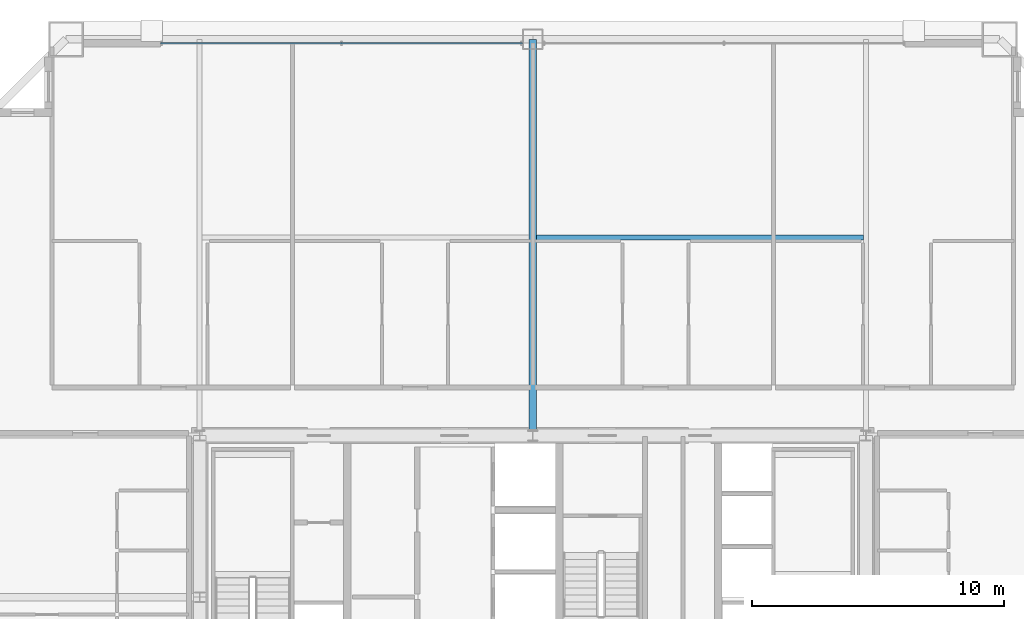
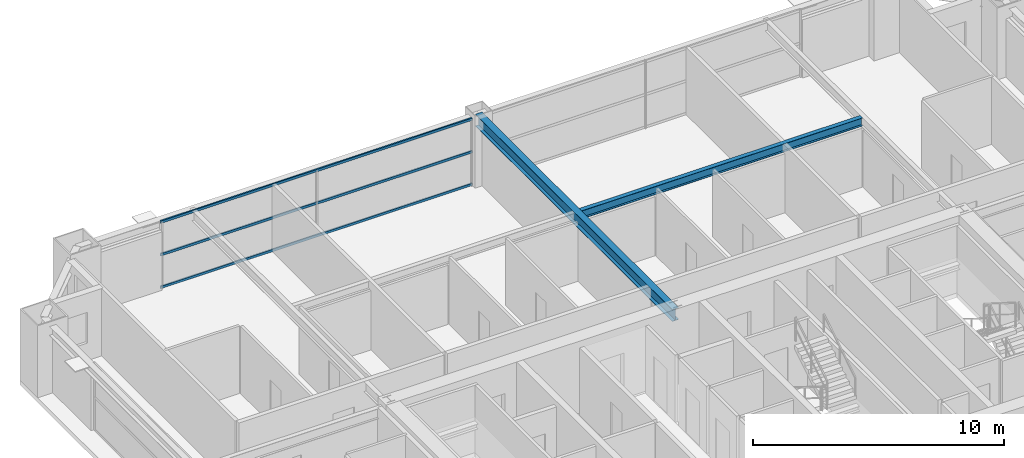
# One storey, part 28 of 38: 3 members, 2 beams, 1 element without a shape of its own.
"""IFC4 building model written with IfcOpenShell, lengths in metres."""

from ifc_helpers import new_model, si_unit, direction, frame, origin, origin_2d, place, context, subcontext, project, spatial, hollow_rectangle, i_section, extrude, source, transform, mapped, material, layer, layer_set, material_profile, profile_set, type_object, element, aggregate, save


model = new_model("IFC4")

# Units and contexts
model_context = context("Model", 3, precision=1e-05, world=origin(), true_north=direction((0.0, 1.0)))
body_context = subcontext(model_context, "Body", "Model", "MODEL_VIEW")
ifc_project = project(units=[si_unit("LENGTHUNIT", "METRE"), si_unit("AREAUNIT", "SQUARE_METRE"), si_unit("VOLUMEUNIT", "CUBIC_METRE"), si_unit("PLANEANGLEUNIT", "RADIAN"), si_unit("MASSUNIT", "GRAM", prefix="KILO"), si_unit("THERMODYNAMICTEMPERATUREUNIT", "KELVIN"), si_unit("POWERUNIT", "WATT")], contexts=[model_context])

# Site, building, storey
site_placement = place(None, origin())
site = spatial("IfcSite", under=ifc_project, at=site_placement, CompositionType="ELEMENT")
building_placement = place(site_placement, origin())
building = spatial("IfcBuilding", under=site, at=building_placement, Name="Yuzanri Waterfront Tower", CompositionType="ELEMENT")
storey_placement = place(building_placement, frame((0.0, 0.0, 181.0)))
storey = spatial("IfcBuildingStorey", under=building, at=storey_placement, Name="L47", CompositionType="ELEMENT", Elevation=181.0)

# Beams
ifc_material_1 = material(Name="Steel Q355B", Category="steel")
ifc_material_profile_1 = material_profile(ifc_material_1, i_section(OverallWidth=0.199951171875, OverallDepth=0.39990234375, WebThickness=0.008056640625, FlangeThickness=0.012939453125, at=origin_2d()), Name="HN 400x200x8x13")
ifc_profile_set_1 = profile_set([ifc_material_profile_1], Name="Steel Q355B")
beam_type_1 = type_object("IfcBeamType", Name="Floor Joist Q355B HN 400x200", PredefinedType="JOIST", material=ifc_profile_set_1)
shared_shape_1 = source(origin(), body_context, "Body", "SweptSolid", [
    extrude(i_section(OverallWidth=0.199951171875, OverallDepth=0.39990234375, WebThickness=0.008056640625, FlangeThickness=0.012939453125, at=origin_2d()), origin(), (0.0, 0.0, 1.0), 12.9501953125),
])
beam_1_placement = place(storey_placement, frame((37.14990234375, 40.050048828125, 3.080078125), z_axis=(1.0, 0.0, 0.0), x_axis=(0.0, 1.0, 0.0)))
element("IfcBeam", 1, at=beam_1_placement, inside=storey, type_object=beam_type_1, Name="L47 North Bay Joist E", PredefinedType="JOIST", context=body_context, shape_type="MappedRepresentation", body=[
    mapped(shared_shape_1, transform((0.0, 0.0, 0.0), scale=1.0)),
])
ifc_material_2 = material(Name="Steel Q355B", Category="steel")
ifc_material_profile_2 = material_profile(ifc_material_2, i_section(OverallWidth=0.300048828125, OverallDepth=0.587890625, WebThickness=0.011962890625, FlangeThickness=0.02001953125, at=origin_2d()), Name="HM 588x300x12x20")
ifc_profile_set_2 = profile_set([ifc_material_profile_2], Name="Steel Q355B")
beam_type_2 = type_object("IfcBeamType", Name="Primary Floor Girder Q355B HM 588x300", PredefinedType="BEAM", material=ifc_profile_set_2)
shared_shape_2 = source(origin(), body_context, "Body", "SweptSolid", [
    extrude(i_section(OverallWidth=0.300048828125, OverallDepth=0.587890625, WebThickness=0.011962890625, FlangeThickness=0.02001953125, at=origin_2d()), origin(), (0.0, 0.0, 1.0), 15.699951171875),
])
beam_2_placement = place(storey_placement, frame((37.0, 32.199951171875, 2.986083984375), z_axis=(0.0, 1.0, 0.0), x_axis=(-1.0, 0.0, 0.0)))
element("IfcBeam", 2, at=beam_2_placement, inside=storey, type_object=beam_type_2, Name="L47 North Grid Girder", PredefinedType="BEAM", context=body_context, shape_type="MappedRepresentation", body=[
    mapped(shared_shape_2, transform((0.0, 0.0, 0.0), scale=1.0)),
])

# Curtain wall, members
ifc_material_3 = material(Name="Anodized Architectural Bronze", Category="metal")
ifc_layer = layer(ifc_material_3, 0.159912109375)
ifc_layer_set = layer_set([ifc_layer], Name="Anodized Architectural Bronze")
curtain_wall_type = type_object("IfcCurtainWallType", Name="Anodized Bronze Mid-Rise Residential Acoustic Unitized Curtain Wall 7200", PredefinedType="NOTDEFINED", material=ifc_layer_set)
curtain_wall_placement = place(storey_placement, origin())
curtain_wall = element("IfcCurtainWall", 3, at=curtain_wall_placement, inside=storey, type_object=curtain_wall_type, Name="L47 Curtain Wall CW-L47-NL", PredefinedType="NOTDEFINED")
ifc_material_4 = material(Name="Anodized Architectural Bronze", Category="metal")
ifc_material_profile_3 = material_profile(ifc_material_4, hollow_rectangle(XDim=0.06494140625, YDim=0.1201171875, WallThickness=0.00341796875, at=origin_2d()), Name="CWT 65x120")
ifc_profile_set_3 = profile_set([ifc_material_profile_3], Name="Anodized Architectural Bronze")
member_type = type_object("IfcMemberType", Name="Anodized Bronze Secondary Curtain-Wall Transom 65x120", PredefinedType="USERDEFINED", material=ifc_profile_set_3)
shared_shape_3 = source(origin(), body_context, "Body", "SweptSolid", [
    extrude(hollow_rectangle(XDim=0.06494140625, YDim=0.1201171875, WallThickness=0.00341796875, at=origin_2d()), origin(), (0.0, 0.0, 1.0), 14.35009765625),
])
member_1_placement = place(storey_placement, frame((22.25, 47.75, 0.050048828125), z_axis=(1.0, 0.0, 0.0), x_axis=(0.0, 1.0, 0.0)))
member_1 = element("IfcMember", 4, at=member_1_placement, type_object=member_type, Name="CW-L47-NL Transom 1", ObjectType="TRANSOM", PredefinedType="USERDEFINED", context=body_context, shape_type="MappedRepresentation", body=[
    mapped(shared_shape_3, transform((0.0, 0.0, 0.0), scale=1.0)),
])
member_2_placement = place(storey_placement, frame((22.25, 47.75, 1.639892578125), z_axis=(1.0, 0.0, 0.0), x_axis=(0.0, 1.0, 0.0)))
member_2 = element("IfcMember", 5, at=member_2_placement, type_object=member_type, Name="CW-L47-NL Transom 2", ObjectType="TRANSOM", PredefinedType="USERDEFINED", context=body_context, shape_type="MappedRepresentation", body=[
    mapped(shared_shape_3, transform((0.0, 0.0, 0.0), scale=1.0)),
])
member_3_placement = place(storey_placement, frame((22.25, 47.75, 3.22998046875), z_axis=(1.0, 0.0, 0.0), x_axis=(0.0, 1.0, 0.0)))
member_3 = element("IfcMember", 6, at=member_3_placement, type_object=member_type, Name="CW-L47-NL Transom 3", ObjectType="TRANSOM", PredefinedType="USERDEFINED", context=body_context, shape_type="MappedRepresentation", body=[
    mapped(shared_shape_3, transform((0.0, 0.0, 0.0), scale=1.0)),
])
aggregate(curtain_wall, [member_1, member_2, member_3])

save(model, "model.ifc")
